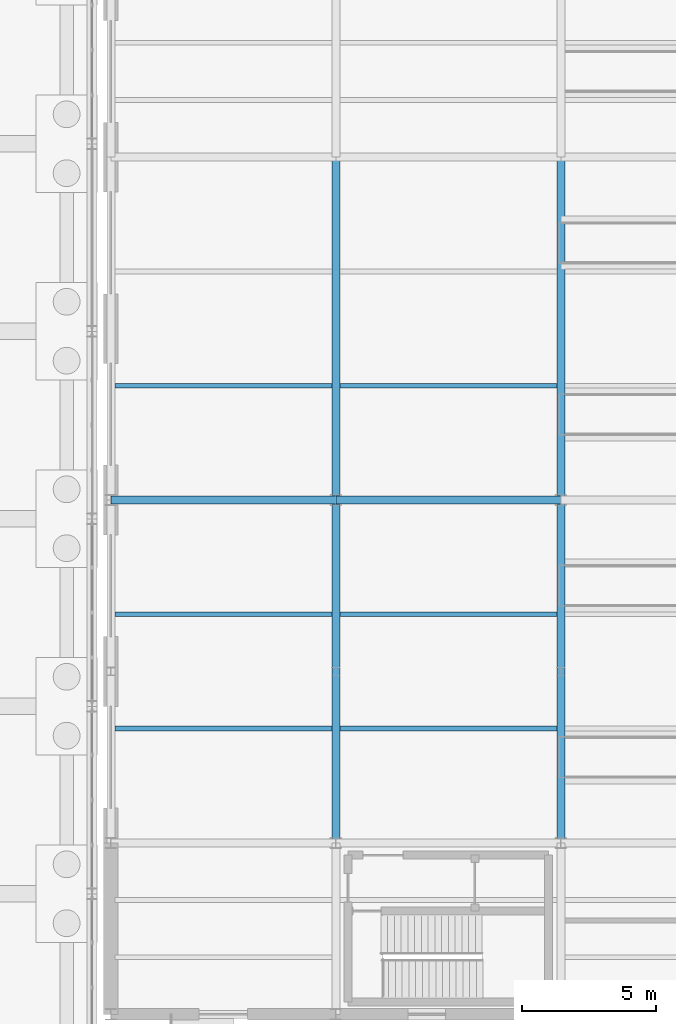
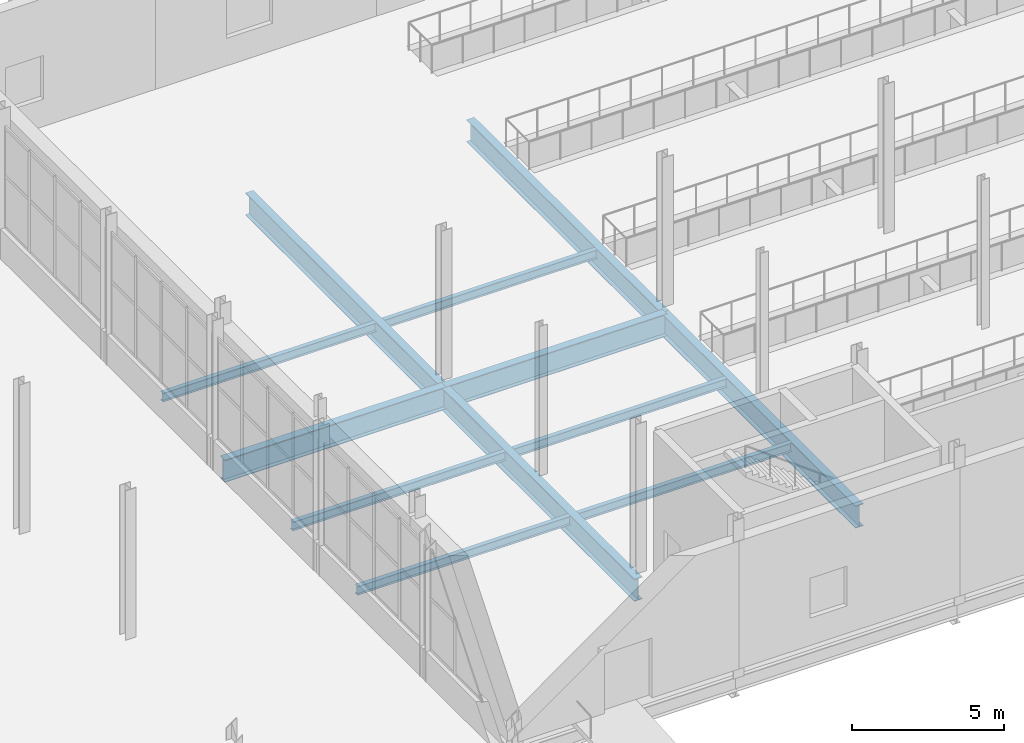
# One storey, part 62 of 139: 12 beams.
"""IFC4 building model written with IfcOpenShell, lengths in metres."""

from ifc_helpers import new_model, si_unit, direction, frame, origin, origin_2d, place, context, subcontext, project, spatial, i_section, extrude, material, material_profile, profile_set, type_object, element, save


model = new_model("IFC4")

# Units and contexts
model_context = context("Model", 3, precision=1e-05, world=origin(), true_north=direction((0.0, 1.0)))
body_context = subcontext(model_context, "Body", "Model", "MODEL_VIEW")
ifc_project = project(units=[si_unit("LENGTHUNIT", "METRE"), si_unit("AREAUNIT", "SQUARE_METRE"), si_unit("VOLUMEUNIT", "CUBIC_METRE"), si_unit("PLANEANGLEUNIT", "RADIAN"), si_unit("MASSUNIT", "GRAM", prefix="KILO")], contexts=[model_context])

# Site, building, storey
site_placement = place(None, origin())
site = spatial("IfcSite", under=ifc_project, at=site_placement, CompositionType="ELEMENT")
building_placement = place(site_placement, origin())
building = spatial("IfcBuilding", under=site, at=building_placement, Name="Kazenagashi Tramway Depot", CompositionType="ELEMENT")
storey_placement = place(building_placement, origin())
storey = spatial("IfcBuildingStorey", under=building, at=storey_placement, Name="L01", CompositionType="ELEMENT", Elevation=0.0)

# Beams
ifc_material_1 = material(Name="Steel SN490B", Category="steel")
ifc_material_profile_1 = material_profile(ifc_material_1, i_section(OverallWidth=0.3, OverallDepth=0.9, WebThickness=0.016, FlangeThickness=0.028, at=origin_2d()), Name="H-900x300x16x28")
ifc_profile_set_1 = profile_set([ifc_material_profile_1], Name="Steel SN490B")
beam_type_1 = type_object("IfcBeamType", Name="G-01", PredefinedType="BEAM", material=ifc_profile_set_1)
for number, where, z_axis, x_axis, name in (
    (1, (44.8, 35.7, -0.8), (1.0, 0.0, 0.0), (0.0, 1.0, 0.0), "Beam G-01 BM-0765"),
    (2, (53.2, 35.7, -0.8), (1.0, 0.0, 0.0), (0.0, 1.0, 0.0), "Beam G-01 BM-0766"),
):
    element("IfcBeam", number, at=place(storey_placement, frame(where, z_axis=z_axis, x_axis=x_axis)), inside=storey, type_object=beam_type_1, Name=name, PredefinedType="BEAM", context=body_context, shape_type="SweptSolid", body=[
        extrude(i_section(OverallWidth=0.3, OverallDepth=0.9, WebThickness=0.016, FlangeThickness=0.028, at=origin_2d()), origin(), (0.0, 0.0, 1.0), 8.4),
    ])
for number, where, z_axis, x_axis, name in (
    (3, (53.2, 22.9, -0.8), (0.0, 1.0, 0.0), (-1.0, 0.0, 0.0), "Beam G-01 BM-0815"),
    (4, (53.2, 35.7, -0.8), (0.0, 1.0, 0.0), (-1.0, 0.0, 0.0), "Beam G-01 BM-0818"),
    (5, (61.6, 22.9, -0.8), (0.0, 1.0, 0.0), (-1.0, 0.0, 0.0), "Beam G-01 BM-0827"),
    (6, (61.6, 35.7, -0.8), (0.0, 1.0, 0.0), (-1.0, 0.0, 0.0), "Beam G-01 BM-0830"),
):
    element("IfcBeam", number, at=place(storey_placement, frame(where, z_axis=z_axis, x_axis=x_axis)), inside=storey, type_object=beam_type_1, Name=name, PredefinedType="BEAM", context=body_context, shape_type="SweptSolid", body=[
        extrude(i_section(OverallWidth=0.3, OverallDepth=0.9, WebThickness=0.016, FlangeThickness=0.028, at=origin_2d()), origin(), (0.0, 0.0, 1.0), 12.8),
    ])
ifc_material_2 = material(Name="Steel SN400B", Category="steel")
ifc_material_profile_2 = material_profile(ifc_material_2, i_section(OverallWidth=0.175, OverallDepth=0.35, WebThickness=0.007, FlangeThickness=0.011, at=origin_2d()), Name="H-350x175x7x11")
ifc_profile_set_2 = profile_set([ifc_material_profile_2], Name="Steel SN400B")
beam_type_2 = type_object("IfcBeamType", Name="J-01", PredefinedType="JOIST", material=ifc_profile_set_2)
for number, where, z_axis, x_axis, name in (
    (7, (44.95, 27.167, -0.525), (1.0, 0.0, 0.0), (0.0, 1.0, 0.0), "Beam J-01 BM-0805"),
    (8, (44.95, 31.433, -0.525), (1.0, 0.0, 0.0), (0.0, 1.0, 0.0), "Beam J-01 BM-0806"),
    (9, (44.95, 39.967, -0.525), (1.0, 0.0, 0.0), (0.0, 1.0, 0.0), "Beam J-01 BM-0808"),
    (10, (53.35, 27.167, -0.525), (1.0, 0.0, 0.0), (0.0, 1.0, 0.0), "Beam J-01 BM-0816"),
    (11, (53.35, 31.433, -0.525), (1.0, 0.0, 0.0), (0.0, 1.0, 0.0), "Beam J-01 BM-0817"),
    (12, (53.35, 39.967, -0.525), (1.0, 0.0, 0.0), (0.0, 1.0, 0.0), "Beam J-01 BM-0819"),
):
    element("IfcBeam", number, at=place(storey_placement, frame(where, z_axis=z_axis, x_axis=x_axis)), inside=storey, type_object=beam_type_2, Name=name, PredefinedType="JOIST", context=body_context, shape_type="SweptSolid", body=[
        extrude(i_section(OverallWidth=0.175, OverallDepth=0.35, WebThickness=0.007, FlangeThickness=0.011, at=origin_2d()), origin(), (0.0, 0.0, 1.0), 8.1),
    ])

save(model, "model.ifc")
